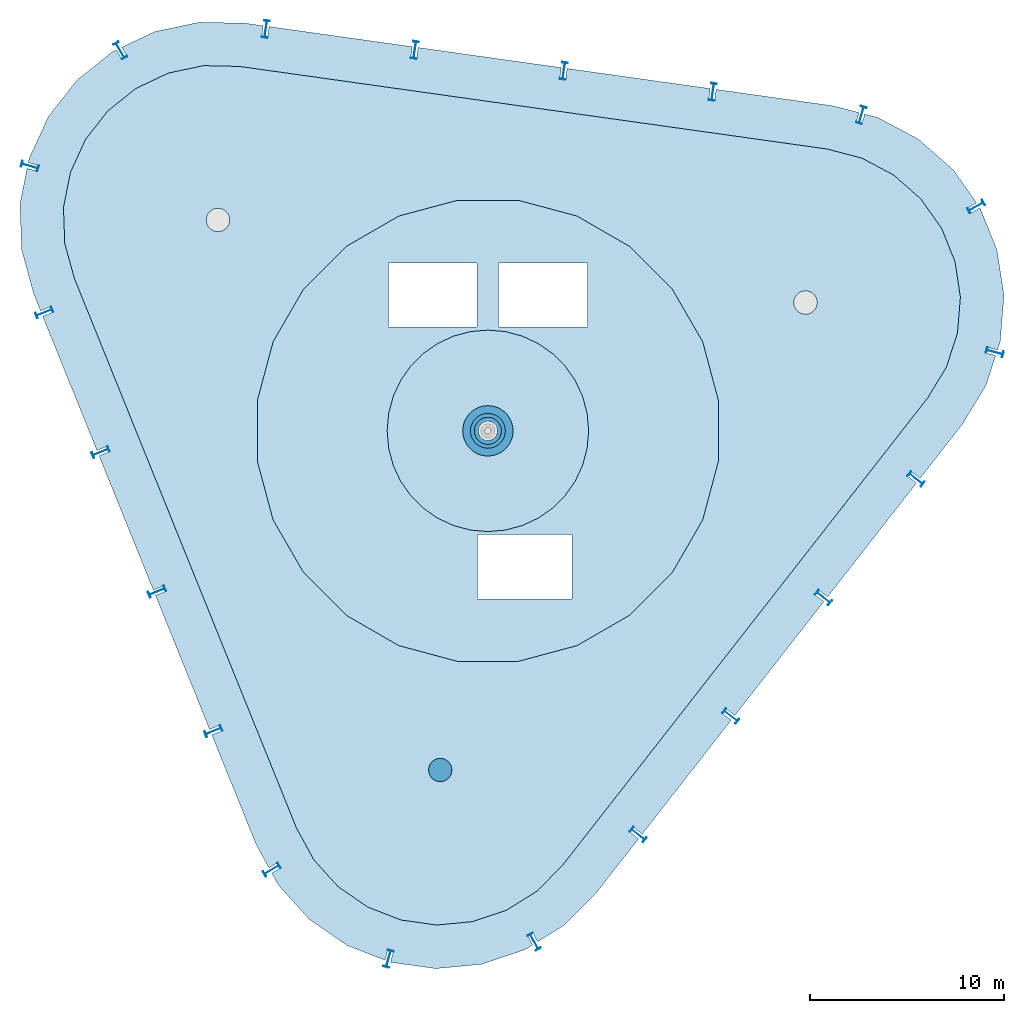
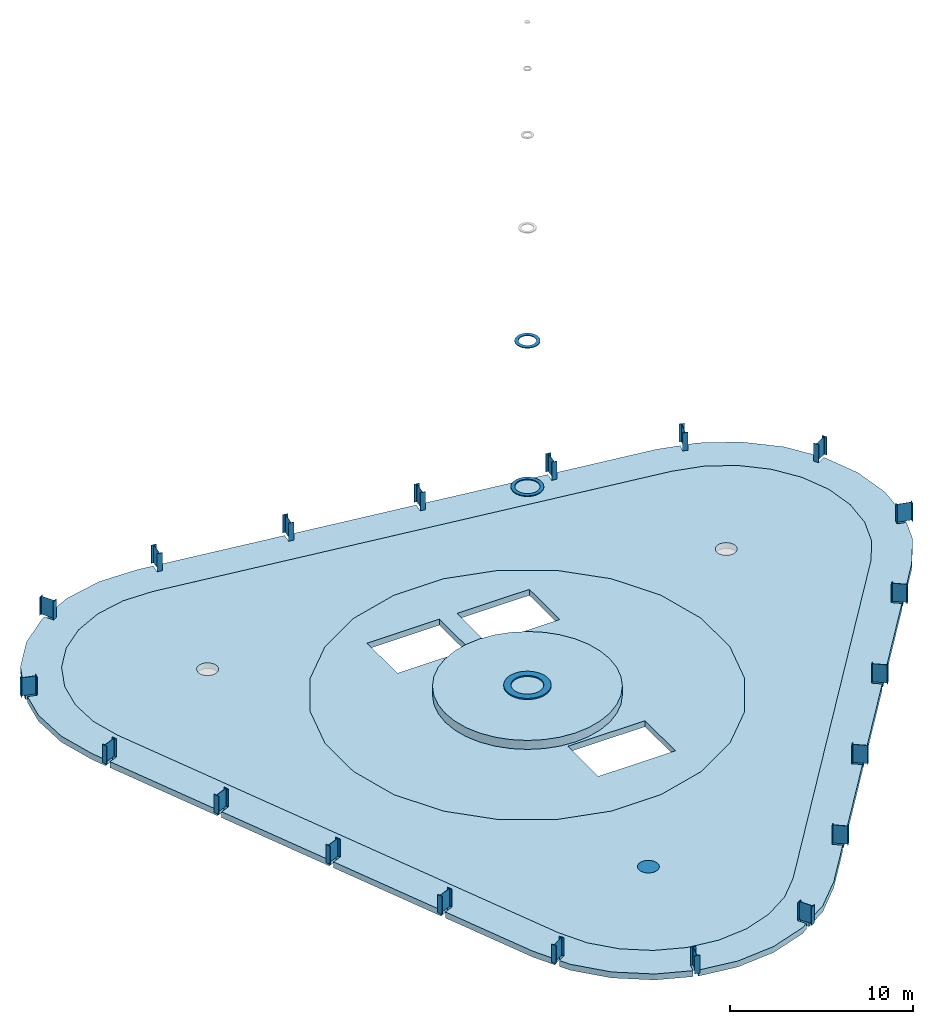
# One storey, part 1 of 2: 20 columns, 4 discrete accessories, 4 slabs.
"""IFC4 building model written with IfcOpenShell, lengths in metres."""

from ifc_helpers import new_model, si_unit, direction, frame, origin, origin_2d, place, context, subcontext, project, spatial, polyline, i_section, outline, extrude, material, layer, layer_set, material_profile, profile_set, type_object, element, save


model = new_model("IFC4")

# Units and contexts
model_context = context("Model", 3, precision=1e-05, world=origin(), true_north=direction((0.0, 1.0)))
body_context = subcontext(model_context, "Body", "Model", "MODEL_VIEW")
ifc_project = project(units=[si_unit("LENGTHUNIT", "METRE"), si_unit("AREAUNIT", "SQUARE_METRE"), si_unit("VOLUMEUNIT", "CUBIC_METRE"), si_unit("PLANEANGLEUNIT", "RADIAN"), si_unit("MASSUNIT", "GRAM", prefix="KILO")], contexts=[model_context])

# Site, building, storey
site_placement = place(None, origin())
site = spatial("IfcSite", under=ifc_project, at=site_placement, CompositionType="ELEMENT")
building_placement = place(site_placement, origin())
building = spatial("IfcBuilding", under=site, at=building_placement, Name="Spindle Arch Residences", CompositionType="ELEMENT")
storey_placement = place(building_placement, frame((0.0, 0.0, 371.39990234375)))
storey = spatial("IfcBuildingStorey", under=building, at=storey_placement, Name="ROOF", CompositionType="ELEMENT", Elevation=371.39990234375)

# Columns
ifc_material_1 = material(Name="Steel S460ML, intumescent coating R 240", Category="steel")
ifc_material_profile = material_profile(ifc_material_1, i_section(OverallWidth=0.300048828125, OverallDepth=0.89990234375, WebThickness=0.0185546875, FlangeThickness=0.034912109375, FilletRadius=0.030029296875, at=origin_2d()), Name="HEB 900")
ifc_profile_set = profile_set([ifc_material_profile], Name="Steel S460ML, intumescent coating R 240")
column_type = type_object("IfcColumnType", Name="Exoskeleton post HEB 900", PredefinedType="COLUMN", material=ifc_profile_set)
for number, where, z_axis, x_axis, name in (
    (1, (17.314208984375, -8.60009765625, 0.0), (0.0, 0.0, 1.0), (-0.615661060634, -0.788011077599, 0.0), "Exoskeleton post 1"),
    (2, (22.09521484375, -2.480712890625, 0.0), (0.0, 0.0, 1.0), (-0.615661060634, -0.788011077599, 0.0), "Exoskeleton post 2"),
    (3, (26.15869140625, 4.05712890625, 0.0), (0.0, 0.0, 1.0), (-0.253940928912, -0.967219729236, 0.0), "Exoskeleton post 3"),
    (4, (25.19384765625, 11.571044921875, 0.0), (0.0, 0.0, 1.0), (0.490023975195, -0.871708955865, 0.0), "Exoskeleton post 4"),
    (5, (19.27587890625, 16.30078125, 0.0), (0.0, 0.0, 1.0), (0.958298489612, -0.285769146005, 0.0), "Exoskeleton post 5"),
    (6, (11.607421875, 17.4931640625, 0.0), (0.0, 0.0, 1.0), (0.990268081324, -0.139173011432, 0.0), "Exoskeleton post 6"),
    (7, (3.91748046875, 18.573974609375, 0.0), (0.0, 0.0, 1.0), (0.990268081324, -0.139173011432, 0.0), "Exoskeleton post 7"),
    (8, (-3.772705078125, 19.65478515625, 0.0), (0.0, 0.0, 1.0), (0.990268081324, -0.139173011432, 0.0), "Exoskeleton post 8"),
    (9, (-11.462646484375, 20.735595703125, 0.0), (0.0, 0.0, 1.0), (0.990268081324, -0.139173011432, 0.0), "Exoskeleton post 9"),
    (10, (-18.9755859375, 19.632080078125, 0.0), (0.0, 0.0, 1.0), (0.866256848037, 0.499598912358, 0.0), "Exoskeleton post 10"),
    (11, (-23.6396484375, 13.662353515625, 0.0), (0.0, 0.0, 1.0), (0.275193000466, 0.96138900165, 0.0), "Exoskeleton post 11"),
    (12, (-22.892578125, 6.105712890625, 0.0), (0.0, 0.0, 1.0), (-0.374606892434, 0.927183733755, 0.0), "Exoskeleton post 12"),
    (13, (-19.983642578125, -1.094482421875, 0.0), (0.0, 0.0, 1.0), (-0.374606892434, 0.927183733755, 0.0), "Exoskeleton post 13"),
    (14, (-17.07470703125, -8.29443359375, 0.0), (0.0, 0.0, 1.0), (-0.374606892434, 0.927183733755, 0.0), "Exoskeleton post 14"),
    (15, (-14.16552734375, -15.49462890625, 0.0), (0.0, 0.0, 1.0), (-0.374606892434, 0.927183733755, 0.0), "Exoskeleton post 15"),
    (16, (-11.1533203125, -22.64697265625, 0.0), (0.0, 0.0, 1.0), (-0.509114042361, 0.86069907161, 0.0), "Exoskeleton post 16"),
    (17, (-5.13232421875, -27.244873046875, 0.0), (0.0, 0.0, 1.0), (-0.964362923017, 0.264582978873, 0.0), "Exoskeleton post 17"),
    (18, (2.391845703125, -26.363037109375, 0.0), (0.0, 0.0, 1.0), (-0.877055410309, -0.480389224741, 0.0), "Exoskeleton post 18"),
    (19, (7.752197265625, -20.838623046875, 0.0), (0.0, 0.0, 1.0), (-0.615661060634, -0.788011077599, 0.0), "Exoskeleton post 19"),
    (20, (12.533203125, -14.71923828125, 0.0), (0.0, 0.0, 1.0), (-0.615661060634, -0.788011077599, 0.0), "Exoskeleton post 20"),
):
    element("IfcColumn", number, at=place(storey_placement, frame(where, z_axis=z_axis, x_axis=x_axis)), inside=storey, type_object=column_type, Name=name, PredefinedType="COLUMN", context=body_context, shape_type="SweptSolid", body=[
        extrude(i_section(OverallWidth=0.300048828125, OverallDepth=0.89990234375, WebThickness=0.0185546875, FlangeThickness=0.034912109375, FilletRadius=0.030029296875, at=origin_2d()), origin(), (0.0, 0.0, 1.0), 1.2001953125),
    ])

# Slabs
ifc_material_2 = material(Name="Concrete C50/60", Category="concrete")
ifc_layer_1 = layer(ifc_material_2, 0.39990234375)
ifc_layer_set_1 = layer_set([ifc_layer_1], Name="Core roof slab 400")
slab_type_1 = type_object("IfcSlabType", Name="Core roof slab 400", PredefinedType="ROOF", material=ifc_layer_set_1)
slab_1_placement = place(storey_placement, frame((0.0, 0.0, -0.39990234375)))
element("IfcSlab", 21, at=slab_1_placement, inside=storey, type_object=slab_type_1, Name="Core roof", PredefinedType="ROOF", context=body_context, shape_type="SweptSolid", body=[
    extrude(outline(polyline([(1.56640625, -11.897216796875), (4.59228515625, -11.086669921875), (7.30517578125, -9.520263671875), (9.520263671875, -7.30517578125), (11.086669921875, -4.59228515625), (11.897216796875, -1.56640625), (11.897216796875, 1.56640625), (11.086669921875, 4.59228515625), (9.520263671875, 7.30517578125), (7.30517578125, 9.520263671875), (4.59228515625, 11.086669921875), (1.56640625, 11.897216796875), (-1.56640625, 11.897216796875), (-4.59228515625, 11.086669921875), (-7.30517578125, 9.520263671875), (-9.520263671875, 7.30517578125), (-11.086669921875, 4.59228515625), (-11.897216796875, 1.56640625), (-11.897216796875, -1.56640625), (-11.086669921875, -4.59228515625), (-9.520263671875, -7.30517578125), (-7.30517578125, -9.520263671875), (-4.59228515625, -11.086669921875), (-1.56640625, -11.897216796875), (1.56640625, -11.897216796875)]), holes=[polyline([(5.1298828125, 8.669921875), (0.550048828125, 8.669921875), (0.550048828125, 5.35009765625), (5.1298828125, 5.35009765625), (5.1298828125, 8.669921875)]), polyline([(-5.1298828125, 5.35009765625), (-0.550048828125, 5.35009765625), (-0.550048828125, 8.669921875), (-5.1298828125, 8.669921875), (-5.1298828125, 5.35009765625)]), polyline([(-0.530029296875, -8.669921875), (4.35009765625, -8.669921875), (4.35009765625, -5.35009765625), (-0.530029296875, -5.35009765625), (-0.530029296875, -8.669921875)])]), origin(), (0.0, 0.0, 1.0), 0.39990234375),
])
ifc_material_3 = material(Name="Concrete C40/50", Category="concrete")
ifc_layer_2 = layer(ifc_material_3, 0.39990234375)
ifc_layer_set_2 = layer_set([ifc_layer_2], Name="Crown roof edge slab 400")
slab_type_2 = type_object("IfcSlabType", Name="Crown roof edge slab 400", PredefinedType="ROOF", material=ifc_layer_set_2)
slab_2_placement = place(storey_placement, frame((0.0, 0.0, -0.39990234375)))
element("IfcSlab", 22, at=slab_2_placement, inside=storey, type_object=slab_type_2, Name="Crown roof edge slab", PredefinedType="ROOF", context=body_context, shape_type="SweptSolid", body=[
    extrude(outline(polyline([(3.944580078125, -25.5087890625), (2.56640625, -26.369873046875), (2.30712890625, -25.896484375), (2.044189453125, -26.04052734375), (2.311767578125, -26.529052734375), (1.926025390625, -26.77001953125), (-0.328857421875, -27.53173828125), (-2.69873046875, -27.753173828125), (-5.026611328125, -27.42578125), (-4.86865234375, -26.8505859375), (-5.157958984375, -26.771240234375), (-5.309326171875, -27.32275390625), (-7.272705078125, -26.555908203125), (-9.230224609375, -25.2021484375), (-10.822998046875, -23.433349609375), (-11.156494140625, -22.822998046875), (-10.689453125, -22.546875), (-10.84228515625, -22.288818359375), (-11.300537109375, -22.559814453125), (-11.96044921875, -21.3525390625), (-14.248291015625, -15.68994140625), (-13.692138671875, -15.465087890625), (-13.804443359375, -15.18701171875), (-14.36083984375, -15.41162109375), (-17.157470703125, -8.48974609375), (-16.601318359375, -8.264892578125), (-16.713623046875, -7.98681640625), (-17.269775390625, -8.211669921875), (-20.06640625, -1.289794921875), (-19.51025390625, -1.06494140625), (-19.62255859375, -0.78662109375), (-20.1787109375, -1.011474609375), (-22.9755859375, 5.910400390625), (-22.419189453125, 6.13525390625), (-22.531494140625, 6.41357421875), (-23.087890625, 6.188720703125), (-23.436279296875, 7.05126953125), (-24.0634765625, 9.33837890625), (-24.146484375, 11.717041015625), (-23.77978515625, 13.54638671875), (-23.248291015625, 13.394287109375), (-23.165771484375, 13.682861328125), (-23.720703125, 13.841552734375), (-23.6787109375, 14.05078125), (-22.685546875, 16.213623046875), (-21.22021484375, 18.089111328125), (-19.36181640625, 19.576416015625), (-19.169189453125, 19.66748046875), (-18.880615234375, 19.167236328125), (-18.62060546875, 19.317138671875), (-18.89697265625, 19.79638671875), (-17.21044921875, 20.5947265625), (-14.88232421875, 21.089599609375), (-12.51171875, 21.034423828125), (-11.59033203125, 20.90478515625), (-11.673828125, 20.310791015625), (-11.376708984375, 20.26904296875), (-11.293212890625, 20.86328125), (-3.900390625, 19.82421875), (-3.98388671875, 19.22998046875), (-3.686767578125, 19.188232421875), (-3.603271484375, 19.782470703125), (3.789794921875, 18.743408203125), (3.706298828125, 18.1494140625), (4.00341796875, 18.107421875), (4.0869140625, 18.70166015625), (11.479736328125, 17.66259765625), (11.396240234375, 17.068603515625), (11.693359375, 17.026611328125), (11.77685546875, 17.620849609375), (17.824951171875, 16.77099609375), (19.15576171875, 16.422607421875), (19.003662109375, 15.912353515625), (19.291015625, 15.82666015625), (19.446044921875, 16.3466796875), (20.118896484375, 16.17041015625), (22.220458984375, 15.052978515625), (24.0078125, 13.481201171875), (25.226806640625, 11.76171875), (24.72802734375, 11.481201171875), (24.875, 11.2197265625), (25.395263671875, 11.51220703125), (26.27587890625, 9.33251953125), (26.634521484375, 6.9794921875), (26.44091796875, 4.607421875), (26.30029296875, 4.175048828125), (25.761474609375, 4.31640625), (25.685302734375, 4.0263671875), (26.20751953125, 3.88916015625), (25.705322265625, 2.34375), (24.47216796875, 0.318115234375), (22.3056640625, -2.454833984375), (21.832763671875, -2.08544921875), (21.648193359375, -2.32177734375), (22.12109375, -2.691162109375), (17.524658203125, -8.57421875), (17.052001953125, -8.204833984375), (16.8671875, -8.441162109375), (17.340087890625, -8.810546875), (15.0419921875, -11.751953125), (12.743896484375, -14.693603515625), (12.27099609375, -14.32421875), (12.086181640625, -14.560546875), (12.55908203125, -14.929931640625), (7.962890625, -20.81298828125), (7.489990234375, -20.443603515625), (7.30517578125, -20.679931640625), (7.778076171875, -21.04931640625), (5.611572265625, -23.822265625), (3.944580078125, -25.5087890625)]), holes=[polyline([(23.65966796875, 3.283203125), (24.233642578125, 5.0498046875), (24.384765625, 6.901123046875), (24.10498046875, 8.7373046875), (23.4091796875, 10.459716796875), (22.334716796875, 11.974853515625), (20.940185546875, 13.20166015625), (19.300048828125, 14.07373046875), (17.503173828125, 14.5439453125), (-12.816162109375, 18.80517578125), (-14.673095703125, 18.848388671875), (-16.489990234375, 18.462158203125), (-18.1689453125, 17.667236328125), (-19.619140625, 16.5068359375), (-20.7626953125, 15.043212890625), (-21.5380859375, 13.35498046875), (-21.903076171875, 11.53369140625), (-21.838134765625, 9.677490234375), (-21.346923828125, 7.885986328125), (-9.877685546875, -20.501708984375), (-8.986572265625, -22.131591796875), (-7.74365234375, -23.511962890625), (-6.2158203125, -24.568359375), (-4.485595703125, -25.244140625), (-2.646240234375, -25.502685546875), (-0.796875, -25.330078125), (0.962890625, -24.735595703125), (2.5380859375, -23.751220703125), (3.843994140625, -22.43017578125), (13.268798828125, -10.36669921875), (22.69384765625, 1.696533203125), (23.65966796875, 3.283203125)])]), origin(), (0.0, 0.0, 1.0), 0.39990234375),
])
ifc_material_4 = material(Name="Concrete C40/50", Category="concrete")
ifc_layer_3 = layer(ifc_material_4, 0.39990234375)
ifc_layer_set_3 = layer_set([ifc_layer_3], Name="Roof slab 400")
slab_type_3 = type_object("IfcSlabType", Name="Roof slab 400", PredefinedType="ROOF", material=ifc_layer_set_3)
slab_3_placement = place(storey_placement, frame((0.0, 0.0, -0.39990234375)))
element("IfcSlab", 23, at=slab_3_placement, inside=storey, type_object=slab_type_3, Name="Roof slab", PredefinedType="ROOF", context=body_context, shape_type="SweptSolid", body=[
    extrude(outline(polyline([(2.5380859375, -23.751220703125), (0.962890625, -24.735595703125), (-0.796875, -25.330078125), (-2.646240234375, -25.502685546875), (-4.485595703125, -25.244140625), (-6.2158203125, -24.568359375), (-7.74365234375, -23.511962890625), (-8.986572265625, -22.131591796875), (-9.877685546875, -20.501708984375), (-21.346923828125, 7.885986328125), (-21.838134765625, 9.677490234375), (-21.903076171875, 11.53369140625), (-21.5380859375, 13.35498046875), (-20.7626953125, 15.043212890625), (-19.619140625, 16.5068359375), (-18.1689453125, 17.667236328125), (-16.489990234375, 18.462158203125), (-14.673095703125, 18.848388671875), (-12.816162109375, 18.80517578125), (17.503173828125, 14.5439453125), (19.300048828125, 14.07373046875), (20.940185546875, 13.20166015625), (22.334716796875, 11.974853515625), (23.4091796875, 10.459716796875), (24.10498046875, 8.7373046875), (24.384765625, 6.901123046875), (24.233642578125, 5.0498046875), (23.65966796875, 3.283203125), (22.69384765625, 1.696533203125), (13.268798828125, -10.36669921875), (3.843994140625, -22.43017578125), (2.5380859375, -23.751220703125)]), holes=[polyline([(7.30517578125, -9.520263671875), (9.520263671875, -7.30517578125), (11.086669921875, -4.59228515625), (11.897216796875, -1.56640625), (11.897216796875, 1.56640625), (11.086669921875, 4.59228515625), (9.520263671875, 7.30517578125), (7.30517578125, 9.520263671875), (4.59228515625, 11.086669921875), (1.56640625, 11.897216796875), (-1.56640625, 11.897216796875), (-4.59228515625, 11.086669921875), (-7.30517578125, 9.520263671875), (-9.520263671875, 7.30517578125), (-11.086669921875, 4.59228515625), (-11.897216796875, 1.56640625), (-11.897216796875, -1.56640625), (-11.086669921875, -4.59228515625), (-9.520263671875, -7.30517578125), (-7.30517578125, -9.520263671875), (-4.59228515625, -11.086669921875), (-1.56640625, -11.897216796875), (1.56640625, -11.897216796875), (4.59228515625, -11.086669921875), (7.30517578125, -9.520263671875)]), polyline([(-1.860107421875, -17.5048828125), (-1.87158203125, -17.3876953125), (-1.90576171875, -17.275146484375), (-1.961181640625, -17.17138671875), (-2.035888671875, -17.08056640625), (-2.126708984375, -17.005859375), (-2.23046875, -16.950439453125), (-2.343017578125, -16.916259765625), (-2.460205078125, -16.90478515625), (-2.5771484375, -16.916259765625), (-2.689697265625, -16.950439453125), (-2.79345703125, -17.005859375), (-2.884521484375, -17.08056640625), (-2.958984375, -17.17138671875), (-3.014404296875, -17.275146484375), (-3.048583984375, -17.3876953125), (-3.06005859375, -17.5048828125), (-3.048583984375, -17.621826171875), (-3.014404296875, -17.734375), (-2.958984375, -17.838134765625), (-2.884521484375, -17.92919921875), (-2.79345703125, -18.003662109375), (-2.689697265625, -18.05908203125), (-2.5771484375, -18.09326171875), (-2.460205078125, -18.104736328125), (-2.343017578125, -18.09326171875), (-2.23046875, -18.05908203125), (-2.126708984375, -18.003662109375), (-2.035888671875, -17.92919921875), (-1.961181640625, -17.838134765625), (-1.90576171875, -17.734375), (-1.87158203125, -17.621826171875), (-1.860107421875, -17.5048828125)]), polyline([(16.978271484375, 6.5048828125), (16.98974609375, 6.621826171875), (16.978271484375, 6.739013671875), (16.944091796875, 6.8515625), (16.888671875, 6.955078125), (16.81396484375, 7.046142578125), (16.722900390625, 7.120849609375), (16.619384765625, 7.17626953125), (16.5068359375, 7.21044921875), (16.3896484375, 7.221923828125), (16.272705078125, 7.21044921875), (16.16015625, 7.17626953125), (16.056396484375, 7.120849609375), (15.96533203125, 7.046142578125), (15.890869140625, 6.955078125), (15.83544921875, 6.8515625), (15.80126953125, 6.739013671875), (15.789794921875, 6.621826171875), (15.80126953125, 6.5048828125), (15.83544921875, 6.392333984375), (15.890869140625, 6.28857421875), (15.96533203125, 6.197509765625), (16.056396484375, 6.123046875), (16.16015625, 6.067626953125), (16.272705078125, 6.033447265625), (16.3896484375, 6.02197265625), (16.5068359375, 6.033447265625), (16.619384765625, 6.067626953125), (16.722900390625, 6.123046875), (16.81396484375, 6.197509765625), (16.888671875, 6.28857421875), (16.944091796875, 6.392333984375), (16.978271484375, 6.5048828125)]), polyline([(-13.341064453125, 10.765869140625), (-13.32958984375, 10.883056640625), (-13.341064453125, 11.0), (-13.375244140625, 11.112548828125), (-13.4306640625, 11.21630859375), (-13.505126953125, 11.307373046875), (-13.59619140625, 11.3818359375), (-13.699951171875, 11.437255859375), (-13.8125, 11.471435546875), (-13.929443359375, 11.48291015625), (-14.046630859375, 11.471435546875), (-14.1591796875, 11.437255859375), (-14.2626953125, 11.3818359375), (-14.353759765625, 11.307373046875), (-14.428466796875, 11.21630859375), (-14.48388671875, 11.112548828125), (-14.51806640625, 11.0), (-14.529541015625, 10.883056640625), (-14.51806640625, 10.765869140625), (-14.48388671875, 10.6533203125), (-14.428466796875, 10.5498046875), (-14.353759765625, 10.458740234375), (-14.2626953125, 10.384033203125), (-14.1591796875, 10.32861328125), (-14.046630859375, 10.29443359375), (-13.929443359375, 10.282958984375), (-13.8125, 10.29443359375), (-13.699951171875, 10.32861328125), (-13.59619140625, 10.384033203125), (-13.505126953125, 10.458740234375), (-13.4306640625, 10.5498046875), (-13.375244140625, 10.6533203125), (-13.341064453125, 10.765869140625)])]), origin(), (0.0, 0.0, 1.0), 0.39990234375),
])
ifc_material_5 = material(Name="Concrete C40/50", Category="concrete")
ifc_layer_4 = layer(ifc_material_5, 0.60009765625)
ifc_layer_set_4 = layer_set([ifc_layer_4], Name="Spire plinth 600")
slab_type_4 = type_object("IfcSlabType", Name="Spire plinth 600", PredefinedType="ROOF", material=ifc_layer_set_4)
slab_4_placement = place(storey_placement, origin())
element("IfcSlab", 24, at=slab_4_placement, inside=storey, type_object=slab_type_4, Name="Spire plinth", PredefinedType="ROOF", context=body_context, shape_type="SweptSolid", body=[
    extrude(outline(polyline([(5.199951171875, 0.0), (5.12109375, 0.903076171875), (4.886474609375, 1.778564453125), (4.50341796875, 2.60009765625), (3.9833984375, 3.342529296875), (3.342529296875, 3.9833984375), (2.60009765625, 4.50341796875), (1.778564453125, 4.886474609375), (0.903076171875, 5.12109375), (0.0, 5.199951171875), (-0.903076171875, 5.12109375), (-1.778564453125, 4.886474609375), (-2.60009765625, 4.50341796875), (-3.342529296875, 3.9833984375), (-3.9833984375, 3.342529296875), (-4.50341796875, 2.60009765625), (-4.886474609375, 1.778564453125), (-5.12109375, 0.903076171875), (-5.199951171875, 0.0), (-5.12109375, -0.903076171875), (-4.886474609375, -1.778564453125), (-4.50341796875, -2.60009765625), (-3.9833984375, -3.342529296875), (-3.342529296875, -3.9833984375), (-2.60009765625, -4.50341796875), (-1.778564453125, -4.886474609375), (-0.903076171875, -5.12109375), (0.0, -5.199951171875), (0.903076171875, -5.12109375), (1.778564453125, -4.886474609375), (2.60009765625, -4.50341796875), (3.342529296875, -3.9833984375), (3.9833984375, -3.342529296875), (4.50341796875, -2.60009765625), (4.886474609375, -1.778564453125), (5.12109375, -0.903076171875), (5.199951171875, 0.0)])), origin(), (0.0, 0.0, 1.0), 0.60009765625),
])

# Discrete accessories
ifc_material_6 = material(Name="Steel S460ML, intumescent coating R 240", Category="steel")
ifc_layer_5 = layer(ifc_material_6, 0.0400390625)
ifc_layer_set_5 = layer_set([ifc_layer_5], Name="End cap plate 40")
discrete_accessory_type_1 = type_object("IfcDiscreteAccessoryType", Name="End cap plate 40", PredefinedType="BRACKET", material=ifc_layer_set_5)
discrete_accessory_1_placement = place(storey_placement, frame((0.0, 0.0, -0.039794921875)))
element("IfcDiscreteAccessory", 25, at=discrete_accessory_1_placement, inside=storey, type_object=discrete_accessory_type_1, Name="End cap Mega-column 3", PredefinedType="BRACKET", context=body_context, shape_type="SweptSolid", body=[
    extrude(outline(polyline([(-1.860107421875, -17.5048828125), (-1.87158203125, -17.3876953125), (-1.90576171875, -17.275146484375), (-1.961181640625, -17.17138671875), (-2.035888671875, -17.08056640625), (-2.126708984375, -17.005859375), (-2.23046875, -16.950439453125), (-2.343017578125, -16.916259765625), (-2.460205078125, -16.90478515625), (-2.5771484375, -16.916259765625), (-2.689697265625, -16.950439453125), (-2.79345703125, -17.005859375), (-2.884521484375, -17.08056640625), (-2.958984375, -17.17138671875), (-3.014404296875, -17.275146484375), (-3.048583984375, -17.3876953125), (-3.06005859375, -17.5048828125), (-3.048583984375, -17.621826171875), (-3.014404296875, -17.734375), (-2.958984375, -17.838134765625), (-2.884521484375, -17.92919921875), (-2.79345703125, -18.003662109375), (-2.689697265625, -18.05908203125), (-2.5771484375, -18.09326171875), (-2.460205078125, -18.104736328125), (-2.343017578125, -18.09326171875), (-2.23046875, -18.05908203125), (-2.126708984375, -18.003662109375), (-2.035888671875, -17.92919921875), (-1.961181640625, -17.838134765625), (-1.90576171875, -17.734375), (-1.87158203125, -17.621826171875), (-1.860107421875, -17.5048828125)])), origin(), (0.0, 0.0, 1.0), 0.039794921875),
])
ifc_material_7 = material(Name="Steel S460ML, intumescent coating R 30", Category="steel")
ifc_layer_6 = layer(ifc_material_7, 0.080078125)
ifc_layer_set_6 = layer_set([ifc_layer_6], Name="Spire base plate 80")
discrete_accessory_type_2 = type_object("IfcDiscreteAccessoryType", Name="Spire base plate 80", PredefinedType="ANCHORPLATE", material=ifc_layer_set_6)
discrete_accessory_2_placement = place(storey_placement, frame((0.0, 0.0, 0.60009765625)))
element("IfcDiscreteAccessory", 26, at=discrete_accessory_2_placement, inside=storey, type_object=discrete_accessory_type_2, Name="Spire base plate", PredefinedType="ANCHORPLATE", context=body_context, shape_type="SweptSolid", body=[
    extrude(outline(polyline([(1.2802734375, -0.2255859375), (1.2216796875, -0.444580078125), (1.125732421875, -0.64990234375), (0.995849609375, -0.835693359375), (0.835693359375, -0.995849609375), (0.64990234375, -1.125732421875), (0.444580078125, -1.2216796875), (0.2255859375, -1.2802734375), (0.0, -1.300048828125), (-0.2255859375, -1.2802734375), (-0.444580078125, -1.2216796875), (-0.64990234375, -1.125732421875), (-0.835693359375, -0.995849609375), (-0.995849609375, -0.835693359375), (-1.125732421875, -0.64990234375), (-1.2216796875, -0.444580078125), (-1.2802734375, -0.2255859375), (-1.300048828125, 0.0), (-1.2802734375, 0.2255859375), (-1.2216796875, 0.444580078125), (-1.125732421875, 0.64990234375), (-0.995849609375, 0.835693359375), (-0.835693359375, 0.995849609375), (-0.64990234375, 1.125732421875), (-0.444580078125, 1.2216796875), (-0.2255859375, 1.2802734375), (0.0, 1.300048828125), (0.2255859375, 1.2802734375), (0.444580078125, 1.2216796875), (0.64990234375, 1.125732421875), (0.835693359375, 0.995849609375), (0.995849609375, 0.835693359375), (1.125732421875, 0.64990234375), (1.2216796875, 0.444580078125), (1.2802734375, 0.2255859375), (1.300048828125, 0.0), (1.2802734375, -0.2255859375)]), holes=[polyline([(0.88623046875, 0.15625), (0.845703125, 0.307861328125), (0.779296875, 0.449951171875), (0.689453125, 0.57861328125), (0.57861328125, 0.689453125), (0.449951171875, 0.779296875), (0.307861328125, 0.845703125), (0.15625, 0.88623046875), (0.0, 0.89990234375), (-0.15625, 0.88623046875), (-0.307861328125, 0.845703125), (-0.449951171875, 0.779296875), (-0.57861328125, 0.689453125), (-0.689453125, 0.57861328125), (-0.779296875, 0.449951171875), (-0.845703125, 0.307861328125), (-0.88623046875, 0.15625), (-0.89990234375, 0.0), (-0.88623046875, -0.15625), (-0.845703125, -0.307861328125), (-0.779296875, -0.449951171875), (-0.689453125, -0.57861328125), (-0.57861328125, -0.689453125), (-0.449951171875, -0.779296875), (-0.307861328125, -0.845703125), (-0.15625, -0.88623046875), (0.0, -0.89990234375), (0.15625, -0.88623046875), (0.307861328125, -0.845703125), (0.449951171875, -0.779296875), (0.57861328125, -0.689453125), (0.689453125, -0.57861328125), (0.779296875, -0.449951171875), (0.845703125, -0.307861328125), (0.88623046875, -0.15625), (0.89990234375, 0.0), (0.88623046875, 0.15625)])]), origin(), (0.0, 0.0, 1.0), 0.080078125),
])
ifc_material_8 = material(Name="Steel S460ML, intumescent coating R 30", Category="steel")
ifc_layer_7 = layer(ifc_material_8, 0.050048828125)
ifc_layer_set_7 = layer_set([ifc_layer_7], Name="Spire step plate 50")
discrete_accessory_type_3 = type_object("IfcDiscreteAccessoryType", Name="Spire step plate 50", PredefinedType="BRACKET", material=ifc_layer_set_7)
discrete_accessory_3_placement = place(storey_placement, frame((0.0, 0.0, 13.885986328125)))
element("IfcDiscreteAccessory", 27, at=discrete_accessory_3_placement, inside=storey, type_object=discrete_accessory_type_3, Name="Spire step plate 1", PredefinedType="BRACKET", context=body_context, shape_type="SweptSolid", body=[
    extrude(outline(polyline([(0.88623046875, -0.15625), (0.845703125, -0.307861328125), (0.779296875, -0.449951171875), (0.689453125, -0.57861328125), (0.57861328125, -0.689453125), (0.449951171875, -0.779296875), (0.307861328125, -0.845703125), (0.15625, -0.88623046875), (0.0, -0.89990234375), (-0.15625, -0.88623046875), (-0.307861328125, -0.845703125), (-0.449951171875, -0.779296875), (-0.57861328125, -0.689453125), (-0.689453125, -0.57861328125), (-0.779296875, -0.449951171875), (-0.845703125, -0.307861328125), (-0.88623046875, -0.15625), (-0.89990234375, 0.0), (-0.88623046875, 0.15625), (-0.845703125, 0.307861328125), (-0.779296875, 0.449951171875), (-0.689453125, 0.57861328125), (-0.57861328125, 0.689453125), (-0.449951171875, 0.779296875), (-0.307861328125, 0.845703125), (-0.15625, 0.88623046875), (0.0, 0.89990234375), (0.15625, 0.88623046875), (0.307861328125, 0.845703125), (0.449951171875, 0.779296875), (0.57861328125, 0.689453125), (0.689453125, 0.57861328125), (0.779296875, 0.449951171875), (0.845703125, 0.307861328125), (0.88623046875, 0.15625), (0.89990234375, 0.0), (0.88623046875, -0.15625)]), holes=[polyline([(0.681396484375, 0.1201171875), (0.650390625, 0.23681640625), (0.599365234375, 0.345947265625), (0.530029296875, 0.44482421875), (0.44482421875, 0.530029296875), (0.345947265625, 0.599365234375), (0.23681640625, 0.650390625), (0.1201171875, 0.681396484375), (0.0, 0.69189453125), (-0.1201171875, 0.681396484375), (-0.23681640625, 0.650390625), (-0.345947265625, 0.599365234375), (-0.44482421875, 0.530029296875), (-0.530029296875, 0.44482421875), (-0.599365234375, 0.345947265625), (-0.650390625, 0.23681640625), (-0.681396484375, 0.1201171875), (-0.69189453125, 0.0), (-0.681396484375, -0.1201171875), (-0.650390625, -0.23681640625), (-0.599365234375, -0.345947265625), (-0.530029296875, -0.44482421875), (-0.44482421875, -0.530029296875), (-0.345947265625, -0.599365234375), (-0.23681640625, -0.650390625), (-0.1201171875, -0.681396484375), (0.0, -0.69189453125), (0.1201171875, -0.681396484375), (0.23681640625, -0.650390625), (0.345947265625, -0.599365234375), (0.44482421875, -0.530029296875), (0.530029296875, -0.44482421875), (0.599365234375, -0.345947265625), (0.650390625, -0.23681640625), (0.681396484375, -0.1201171875), (0.69189453125, 0.0), (0.681396484375, 0.1201171875)])]), origin(), (0.0, 0.0, 1.0), 0.050048828125),
])
discrete_accessory_4_placement = place(storey_placement, frame((0.0, 0.0, 23.6474609375)))
element("IfcDiscreteAccessory", 28, at=discrete_accessory_4_placement, inside=storey, type_object=discrete_accessory_type_3, Name="Spire step plate 2", PredefinedType="BRACKET", context=body_context, shape_type="SweptSolid", body=[
    extrude(outline(polyline([(0.689453125, -0.12158203125), (0.65771484375, -0.239501953125), (0.606201171875, -0.35009765625), (0.5361328125, -0.449951171875), (0.449951171875, -0.5361328125), (0.35009765625, -0.606201171875), (0.239501953125, -0.65771484375), (0.12158203125, -0.689453125), (0.0, -0.699951171875), (-0.12158203125, -0.689453125), (-0.239501953125, -0.65771484375), (-0.35009765625, -0.606201171875), (-0.449951171875, -0.5361328125), (-0.5361328125, -0.449951171875), (-0.606201171875, -0.35009765625), (-0.65771484375, -0.239501953125), (-0.689453125, -0.12158203125), (-0.699951171875, 0.0), (-0.689453125, 0.12158203125), (-0.65771484375, 0.239501953125), (-0.606201171875, 0.35009765625), (-0.5361328125, 0.449951171875), (-0.449951171875, 0.5361328125), (-0.35009765625, 0.606201171875), (-0.239501953125, 0.65771484375), (-0.12158203125, 0.689453125), (0.0, 0.699951171875), (0.12158203125, 0.689453125), (0.239501953125, 0.65771484375), (0.35009765625, 0.606201171875), (0.449951171875, 0.5361328125), (0.5361328125, 0.449951171875), (0.606201171875, 0.35009765625), (0.65771484375, 0.239501953125), (0.689453125, 0.12158203125), (0.699951171875, 0.0), (0.689453125, -0.12158203125)]), holes=[polyline([(0.484619140625, 0.08544921875), (0.46240234375, 0.168212890625), (0.426025390625, 0.24609375), (0.376953125, 0.31640625), (0.31640625, 0.376953125), (0.24609375, 0.426025390625), (0.168212890625, 0.46240234375), (0.08544921875, 0.484619140625), (0.0, 0.491943359375), (-0.08544921875, 0.484619140625), (-0.168212890625, 0.46240234375), (-0.24609375, 0.426025390625), (-0.31640625, 0.376953125), (-0.376953125, 0.31640625), (-0.426025390625, 0.24609375), (-0.46240234375, 0.168212890625), (-0.484619140625, 0.08544921875), (-0.491943359375, 0.0), (-0.484619140625, -0.08544921875), (-0.46240234375, -0.168212890625), (-0.426025390625, -0.24609375), (-0.376953125, -0.31640625), (-0.31640625, -0.376953125), (-0.24609375, -0.426025390625), (-0.168212890625, -0.46240234375), (-0.08544921875, -0.484619140625), (0.0, -0.491943359375), (0.08544921875, -0.484619140625), (0.168212890625, -0.46240234375), (0.24609375, -0.426025390625), (0.31640625, -0.376953125), (0.376953125, -0.31640625), (0.426025390625, -0.24609375), (0.46240234375, -0.168212890625), (0.484619140625, -0.08544921875), (0.491943359375, 0.0), (0.484619140625, 0.08544921875)])]), origin(), (0.0, 0.0, 1.0), 0.050048828125),
])

save(model, "model.ifc")
